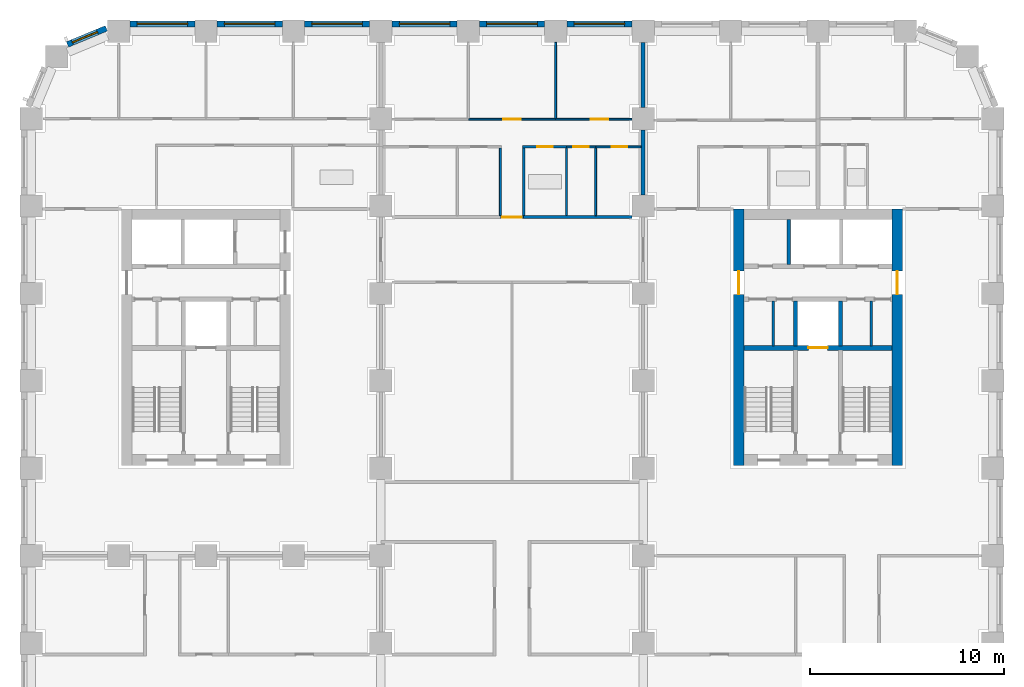
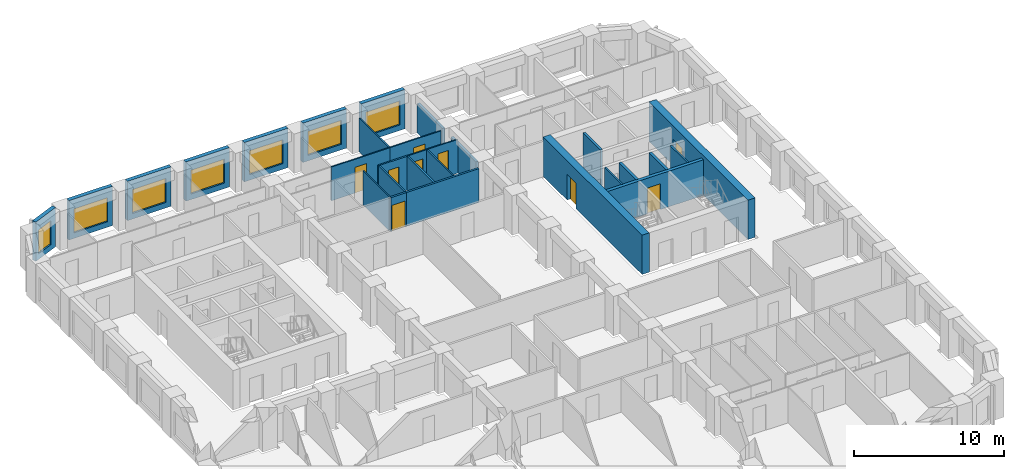
# One storey, part 8 of 13: 29 walls, 9 doors, 7 windows, 16 openings.
"""IFC4 building model written with IfcOpenShell, lengths in metres."""

from ifc_helpers import new_model, si_unit, direction, frame, frame_2d, origin, place, context, subcontext, project, spatial, rectangle, extrude, material, layer, layer_set, type_object, element, fill, save


model = new_model("IFC4")

# Units and contexts
model_context = context("Model", 3, precision=1e-05, world=origin(), true_north=direction((0.0, 1.0)))
body_context = subcontext(model_context, "Body", "Model", "MODEL_VIEW")
ifc_project = project(units=[si_unit("LENGTHUNIT", "METRE"), si_unit("AREAUNIT", "SQUARE_METRE"), si_unit("VOLUMEUNIT", "CUBIC_METRE"), si_unit("PLANEANGLEUNIT", "RADIAN"), si_unit("MASSUNIT", "GRAM", prefix="KILO")], contexts=[model_context])

# Site, building, storey
site_placement = place(None, origin())
site = spatial("IfcSite", under=ifc_project, at=site_placement, CompositionType="ELEMENT")
building_placement = place(site_placement, origin())
building = spatial("IfcBuilding", under=site, at=building_placement, Name="Girih Gate Residences", CompositionType="ELEMENT")
storey_placement = place(building_placement, frame((0.0, 0.0, 80.0)))
storey = spatial("IfcBuildingStorey", under=building, at=storey_placement, Name="L21", CompositionType="ELEMENT", Elevation=80.0)

# Wall
ifc_material_1 = material(Name="Gypsum board on steel studs", Category="steel")
ifc_layer_1 = layer(ifc_material_1, 0.14990234375)
ifc_layer_set_1 = layer_set([ifc_layer_1], Name="Compartment wall 150 mm")
wall_type_1 = type_object("IfcWallType", Name="Compartment wall 150 mm", PredefinedType="PARTITIONING", material=ifc_layer_set_1)
wall_1_placement = place(storey_placement, frame((25.35009765625, 39.925048828125, 0.0), z_axis=(0.0, 0.0, 1.0), x_axis=(1.0, 0.0, 0.0)))
element("IfcWall", 1, at=wall_1_placement, inside=storey, type_object=wall_type_1, Name="L21 partition", PredefinedType="PARTITIONING", context=body_context, shape_type="SweptSolid", body=[
    extrude(rectangle(XDim=5.574951171875, YDim=0.14990234375, at=frame_2d((2.78759765625, 0.0))), origin(), (0.0, 0.0, 1.0), 2.75),
])

# Wall, opening, door
wall_2_placement = place(storey_placement, frame((24.14990234375, 39.925048828125, 0.0), z_axis=(0.0, 0.0, 1.0), x_axis=(1.0, 0.0, 0.0)))
wall_2 = element("IfcWall", 2, at=wall_2_placement, inside=storey, type_object=wall_type_1, Name="L21 partition", PredefinedType="PARTITIONING", context=body_context, shape_type="SweptSolid", body=[
    extrude(rectangle(XDim=1.2001953125, YDim=0.14990234375, at=frame_2d((0.60009765625, 0.0))), origin(), (0.0, 0.0, 1.0), 2.75),
])
opening_1_placement = place(wall_2_placement, frame((0.10009765625, 0.0, 0.0)))
opening_1 = element("IfcOpeningElement", 3, at=opening_1_placement, cuts=wall_2, Name="Opening A21-048", PredefinedType="OPENING", context=body_context, shape_type="SweptSolid", body=[
    extrude(rectangle(XDim=1.0, YDim=2.10009765625, at=frame_2d((0.5, 1.050048828125))), frame((0.0, 0.0849609375, 0.0), z_axis=(0.0, -1.0, 0.0), x_axis=(1.0, 0.0, 0.0)), (0.0, 0.0, 1.0), 0.169921875),
])
ifc_material_2 = material(Name="Timber, fire-rated core", Category="wood")
door_type_1 = type_object("IfcDoorType", Name="Flat entrance door 1000x2100 FD30S", OperationType="NOTDEFINED", PredefinedType="DOOR", material=ifc_material_2)
door_1_placement = place(opening_1_placement, origin())
door_1 = element("IfcDoor", 4, at=door_1_placement, inside=storey, type_object=door_type_1, Name="Door A21-048", OperationType="SINGLE_SWING_RIGHT", OverallHeight=2.10009765625, OverallWidth=1.0, PredefinedType="DOOR", context=body_context, shape_type="SweptSolid", body=[
    extrude(rectangle(XDim=1.0, YDim=2.10009765625, at=frame_2d((0.5, 1.050048828125))), frame((0.0, 0.02490234375, 0.0), z_axis=(0.0, -1.0, 0.0), x_axis=(1.0, 0.0, 0.0)), (0.0, 0.0, 1.0), 0.050048828125),
])
fill(opening_1, door_1)

ifc_material_3 = material(Name="Concrete C60/75", Category="concrete")
ifc_layer_2 = layer(ifc_material_3, 0.550048828125)
ifc_layer_set_2 = layer_set([ifc_layer_2], Name="Core wall RC 550 Concrete C60/75")
wall_type_2 = type_object("IfcWallType", Name="Core wall RC 550 Concrete C60/75", PredefinedType="SOLIDWALL", material=ifc_layer_set_2)
wall_3_placement = place(storey_placement, frame((36.425048828125, 27.14990234375, 0.0), z_axis=(0.0, 0.0, 1.0), x_axis=(0.0, 1.0, 0.0)))
wall_3 = element("IfcWall", 5, at=wall_3_placement, inside=storey, type_object=wall_type_2, Name="Core wall E-W L21", PredefinedType="SOLIDWALL", context=body_context, shape_type="SweptSolid", body=[
    extrude(rectangle(XDim=13.2001953125, YDim=0.550048828125, at=frame_2d((6.60009765625, 0.0))), origin(), (0.0, 0.0, 1.0), 3.199951171875),
])
opening_2_placement = place(wall_3_placement, frame((8.800048828125, 0.0, 0.0)))
opening_2 = element("IfcOpeningElement", 6, at=opening_2_placement, cuts=wall_3, Name="Opening D-L21-E-014", PredefinedType="OPENING", context=body_context, shape_type="SweptSolid", body=[
    extrude(rectangle(XDim=1.199951171875, YDim=2.10009765625, at=frame_2d((0.60009765625, 1.050048828125))), frame((0.0, 0.284912109375, 0.0), z_axis=(0.0, -1.0, 0.0), x_axis=(1.0, 0.0, 0.0)), (0.0, 0.0, 1.0), 0.570068359375),
])
ifc_material_4 = material(Name="Painted steel, fire-resisting", Category="steel")
door_type_2 = type_object("IfcDoorType", Name="Fire door 1200x2100", OperationType="SINGLE_SWING_LEFT", PredefinedType="DOOR", material=ifc_material_4)
door_2_placement = place(opening_2_placement, origin())
door_2 = element("IfcDoor", 7, at=door_2_placement, inside=storey, type_object=door_type_2, Name="L21 E core door ll-w", OperationType="SINGLE_SWING_LEFT", OverallHeight=2.10009765625, OverallWidth=1.199951171875, PredefinedType="DOOR", context=body_context, shape_type="SweptSolid", body=[
    extrude(rectangle(XDim=1.199951171875, YDim=2.10009765625, at=frame_2d((0.60009765625, 1.050048828125))), frame((0.0, 0.02490234375, 0.0), z_axis=(0.0, -1.0, 0.0), x_axis=(1.0, 0.0, 0.0)), (0.0, 0.0, 1.0), 0.050048828125),
])
fill(opening_2, door_2)

wall_4_placement = place(storey_placement, frame((44.574951171875, 27.14990234375, 0.0), z_axis=(0.0, 0.0, 1.0), x_axis=(0.0, 1.0, 0.0)))
wall_4 = element("IfcWall", 8, at=wall_4_placement, inside=storey, type_object=wall_type_2, Name="Core wall E-E L21", PredefinedType="SOLIDWALL", context=body_context, shape_type="SweptSolid", body=[
    extrude(rectangle(XDim=13.2001953125, YDim=0.550048828125, at=frame_2d((6.60009765625, 0.0))), origin(), (0.0, 0.0, 1.0), 3.199951171875),
])
opening_3_placement = place(wall_4_placement, frame((8.800048828125, 0.0, 0.0)))
opening_3 = element("IfcOpeningElement", 9, at=opening_3_placement, cuts=wall_4, Name="Opening D-L21-E-015", PredefinedType="OPENING", context=body_context, shape_type="SweptSolid", body=[
    extrude(rectangle(XDim=1.199951171875, YDim=2.10009765625, at=frame_2d((0.60009765625, 1.050048828125))), frame((0.0, 0.284912109375, 0.0), z_axis=(0.0, -1.0, 0.0), x_axis=(1.0, 0.0, 0.0)), (0.0, 0.0, 1.0), 0.570068359375),
])
door_3_placement = place(opening_3_placement, origin())
door_3 = element("IfcDoor", 10, at=door_3_placement, inside=storey, type_object=door_type_2, Name="L21 E core door ll-e", OperationType="SINGLE_SWING_LEFT", OverallHeight=2.10009765625, OverallWidth=1.199951171875, PredefinedType="DOOR", context=body_context, shape_type="SweptSolid", body=[
    extrude(rectangle(XDim=1.199951171875, YDim=2.10009765625, at=frame_2d((0.60009765625, 1.050048828125))), frame((0.0, 0.02490234375, 0.0), z_axis=(0.0, -1.0, 0.0), x_axis=(1.0, 0.0, 0.0)), (0.0, 0.0, 1.0), 0.050048828125),
])
fill(opening_3, door_3)

ifc_material_5 = material(Name="Concrete C40/50", Category="concrete")
ifc_layer_3 = layer(ifc_material_5, 0.25)
ifc_layer_set_3 = layer_set([ifc_layer_3], Name="Lift shaft wall 250")
wall_type_3 = type_object("IfcWallType", Name="Lift shaft wall 250", PredefinedType="SOLIDWALL", material=ifc_layer_set_3)
wall_5_placement = place(storey_placement, frame((36.699951171875, 33.199951171875, 0.0), z_axis=(0.0, 0.0, 1.0), x_axis=(1.0, 0.0, 0.0)))
wall_5 = element("IfcWall", 11, at=wall_5_placement, inside=storey, type_object=wall_type_3, Name="L21 E core wall H1", PredefinedType="SOLIDWALL", context=body_context, shape_type="SweptSolid", body=[
    extrude(rectangle(XDim=7.60009765625, YDim=0.25, at=frame_2d((3.800048828125, 0.0))), origin(), (0.0, 0.0, 1.0), 2.89990234375),
])
opening_4_placement = place(wall_5_placement, frame((3.300048828125, 0.0, 0.0)))
opening_4 = element("IfcOpeningElement", 12, at=opening_4_placement, cuts=wall_5, Name="Opening D-L21-E-005", PredefinedType="OPENING", context=body_context, shape_type="SweptSolid", body=[
    extrude(rectangle(XDim=1.0, YDim=2.10009765625, at=frame_2d((0.5, 1.050048828125))), frame((0.0, 0.135009765625, 0.0), z_axis=(0.0, -1.0, 0.0), x_axis=(1.0, 0.0, 0.0)), (0.0, 0.0, 1.0), 0.27001953125),
])
ifc_material_6 = material(Name="Stainless steel, fire-resisting", Category="steel")
door_type_3 = type_object("IfcDoorType", Name="Firefighting lift landing door 1000x2100", OperationType="SLIDING_TO_LEFT", PredefinedType="DOOR", material=ifc_material_6)
door_4_placement = place(opening_4_placement, origin())
door_4 = element("IfcDoor", 13, at=door_4_placement, inside=storey, type_object=door_type_3, Name="L21 lift FF-E landing door", OperationType="SLIDING_TO_LEFT", OverallHeight=2.10009765625, OverallWidth=1.0, PredefinedType="DOOR", context=body_context, shape_type="SweptSolid", body=[
    extrude(rectangle(XDim=1.0, YDim=2.10009765625, at=frame_2d((0.5, 1.050048828125))), frame((0.0, 0.02490234375, 0.0), z_axis=(0.0, -1.0, 0.0), x_axis=(1.0, 0.0, 0.0)), (0.0, 0.0, 1.0), 0.050048828125),
])
fill(opening_4, door_4)

# Wall
ifc_layer_4 = layer(ifc_material_1, 0.10009765625)
ifc_layer_set_4 = layer_set([ifc_layer_4], Name="Partition 100 mm")
wall_type_4 = type_object("IfcWallType", Name="Partition 100 mm", PredefinedType="PARTITIONING", material=ifc_layer_set_4)
wall_6_placement = place(storey_placement, frame((27.0, 45.014892578125, 0.0), z_axis=(0.0, 0.0, 1.0), x_axis=(0.0, 1.0, 0.0)))
element("IfcWall", 14, at=wall_6_placement, inside=storey, type_object=wall_type_4, Name="L21 partition", PredefinedType="PARTITIONING", context=body_context, shape_type="SweptSolid", body=[
    extrude(rectangle(XDim=3.91015625, YDim=0.10009765625, at=frame_2d((1.955078125, 0.0))), origin(), (0.0, 0.0, 1.0), 2.75),
])

# Wall, opening, door
wall_7_placement = place(storey_placement, frame((22.5, 44.965087890625, 0.0), z_axis=(0.0, 0.0, 1.0), x_axis=(1.0, 0.0, 0.0)))
wall_7 = element("IfcWall", 15, at=wall_7_placement, inside=storey, type_object=wall_type_4, Name="L21 partition", PredefinedType="PARTITIONING", context=body_context, shape_type="SweptSolid", body=[
    extrude(rectangle(XDim=4.5, YDim=0.10009765625, at=frame_2d((2.25, 0.0))), origin(), (0.0, 0.0, 1.0), 2.75),
])
opening_5_placement = place(wall_7_placement, frame((1.800048828125, 0.0, 0.0)))
opening_5 = element("IfcOpeningElement", 16, at=opening_5_placement, cuts=wall_7, Name="Opening A21-041", PredefinedType="OPENING", context=body_context, shape_type="SweptSolid", body=[
    extrude(rectangle(XDim=0.89990234375, YDim=2.10009765625, at=frame_2d((0.449951171875, 1.050048828125))), frame((0.0, 0.06005859375, 0.0), z_axis=(0.0, -1.0, 0.0), x_axis=(1.0, 0.0, 0.0)), (0.0, 0.0, 1.0), 0.1201171875),
])
ifc_material_7 = material(Name="Timber", Category="wood")
door_type_4 = type_object("IfcDoorType", Name="Bedroom door 900x2100", OperationType="NOTDEFINED", PredefinedType="DOOR", material=ifc_material_7)
door_5_placement = place(opening_5_placement, origin())
door_5 = element("IfcDoor", 17, at=door_5_placement, inside=storey, type_object=door_type_4, Name="Door A21-041", OperationType="SINGLE_SWING_LEFT", OverallHeight=2.10009765625, OverallWidth=0.89990234375, PredefinedType="DOOR", context=body_context, shape_type="SweptSolid", body=[
    extrude(rectangle(XDim=0.89990234375, YDim=2.10009765625, at=frame_2d((0.449951171875, 1.050048828125))), frame((0.0, 0.02490234375, 0.0), z_axis=(0.0, -1.0, 0.0), x_axis=(1.0, 0.0, 0.0)), (0.0, 0.0, 1.0), 0.050048828125),
])
fill(opening_5, door_5)

wall_8_placement = place(storey_placement, frame((27.0, 44.965087890625, 0.0), z_axis=(0.0, 0.0, 1.0), x_axis=(1.0, 0.0, 0.0)))
wall_8 = element("IfcWall", 18, at=wall_8_placement, inside=storey, type_object=wall_type_4, Name="L21 partition", PredefinedType="PARTITIONING", context=body_context, shape_type="SweptSolid", body=[
    extrude(rectangle(XDim=3.925048828125, YDim=0.10009765625, at=frame_2d((1.96240234375, 0.0))), origin(), (0.0, 0.0, 1.0), 2.75),
])
opening_6_placement = place(wall_8_placement, frame((1.800048828125, 0.0, 0.0)))
opening_6 = element("IfcOpeningElement", 19, at=opening_6_placement, cuts=wall_8, Name="Opening A21-042", PredefinedType="OPENING", context=body_context, shape_type="SweptSolid", body=[
    extrude(rectangle(XDim=0.89990234375, YDim=2.10009765625, at=frame_2d((0.449951171875, 1.050048828125))), frame((0.0, 0.06005859375, 0.0), z_axis=(0.0, -1.0, 0.0), x_axis=(1.0, 0.0, 0.0)), (0.0, 0.0, 1.0), 0.1201171875),
])
door_6_placement = place(opening_6_placement, origin())
door_6 = element("IfcDoor", 20, at=door_6_placement, inside=storey, type_object=door_type_4, Name="Door A21-042", OperationType="SINGLE_SWING_RIGHT", OverallHeight=2.10009765625, OverallWidth=0.89990234375, PredefinedType="DOOR", context=body_context, shape_type="SweptSolid", body=[
    extrude(rectangle(XDim=0.89990234375, YDim=2.10009765625, at=frame_2d((0.449951171875, 1.050048828125))), frame((0.0, 0.02490234375, 0.0), z_axis=(0.0, -1.0, 0.0), x_axis=(1.0, 0.0, 0.0)), (0.0, 0.0, 1.0), 0.050048828125),
])
fill(opening_6, door_6)

wall_9_placement = place(storey_placement, frame((31.39990234375, 43.544921875, 0.0), z_axis=(0.0, 0.0, 1.0), x_axis=(-1.0, 0.0, 0.0)))
wall_9 = element("IfcWall", 21, at=wall_9_placement, inside=storey, type_object=wall_type_4, Name="L21 partition", PredefinedType="PARTITIONING", context=body_context, shape_type="SweptSolid", body=[
    extrude(rectangle(XDim=2.345458984375, YDim=0.10009765625, at=frame_2d((1.1728515625, 0.0))), origin(), (0.0, 0.0, 1.0), 2.75),
])
opening_7_placement = place(wall_9_placement, frame((0.722900390625, 0.0, 0.0)))
opening_7 = element("IfcOpeningElement", 22, at=opening_7_placement, cuts=wall_9, Name="Opening A21-043", PredefinedType="OPENING", context=body_context, shape_type="SweptSolid", body=[
    extrude(rectangle(XDim=0.800048828125, YDim=2.10009765625, at=frame_2d((0.39990234375, 1.050048828125))), frame((0.0, 0.06005859375, 0.0), z_axis=(0.0, -1.0, 0.0), x_axis=(1.0, 0.0, 0.0)), (0.0, 0.0, 1.0), 0.1201171875),
])
door_type_5 = type_object("IfcDoorType", Name="Store door 800x2100", OperationType="NOTDEFINED", PredefinedType="DOOR", material=ifc_material_7)
door_7_placement = place(opening_7_placement, origin())
door_7 = element("IfcDoor", 23, at=door_7_placement, inside=storey, type_object=door_type_5, Name="Door A21-043", OperationType="SINGLE_SWING_LEFT", OverallHeight=2.10009765625, OverallWidth=0.800048828125, PredefinedType="DOOR", context=body_context, shape_type="SweptSolid", body=[
    extrude(rectangle(XDim=0.800048828125, YDim=2.10009765625, at=frame_2d((0.39990234375, 1.050048828125))), frame((0.0, 0.02490234375, 0.0), z_axis=(0.0, -1.0, 0.0), x_axis=(1.0, 0.0, 0.0)), (0.0, 0.0, 1.0), 0.050048828125),
])
fill(opening_7, door_7)

# Wall
wall_10_placement = place(storey_placement, frame((29.053955078125, 40.0, 0.0), z_axis=(0.0, 0.0, 1.0), x_axis=(0.0, 1.0, 0.0)))
element("IfcWall", 24, at=wall_10_placement, inside=storey, type_object=wall_type_4, Name="L21 partition", PredefinedType="PARTITIONING", context=body_context, shape_type="SweptSolid", body=[
    extrude(rectangle(XDim=3.4951171875, YDim=0.10009765625, at=frame_2d((1.74755859375, 0.0))), origin(), (0.0, 0.0, 1.0), 2.75),
])

# Wall, opening, door
wall_11_placement = place(storey_placement, frame((29.054443359375, 43.544921875, 0.0), z_axis=(0.0, 0.0, 1.0), x_axis=(-1.0, 0.0, 0.0)))
wall_11 = element("IfcWall", 25, at=wall_11_placement, inside=storey, type_object=wall_type_4, Name="L21 partition", PredefinedType="PARTITIONING", context=body_context, shape_type="SweptSolid", body=[
    extrude(rectangle(XDim=1.4990234375, YDim=0.10009765625, at=frame_2d((0.74951171875, 0.0))), origin(), (0.0, 0.0, 1.0), 2.75),
])
opening_8_placement = place(wall_11_placement, frame((0.349609375, 0.0, 0.0)))
opening_8 = element("IfcOpeningElement", 26, at=opening_8_placement, cuts=wall_11, Name="Opening A21-046", PredefinedType="OPENING", context=body_context, shape_type="SweptSolid", body=[
    extrude(rectangle(XDim=0.800048828125, YDim=2.10009765625, at=frame_2d((0.39990234375, 1.050048828125))), frame((0.0, 0.06005859375, 0.0), z_axis=(0.0, -1.0, 0.0), x_axis=(1.0, 0.0, 0.0)), (0.0, 0.0, 1.0), 0.1201171875),
])
door_8_placement = place(opening_8_placement, origin())
door_8 = element("IfcDoor", 27, at=door_8_placement, inside=storey, type_object=door_type_5, Name="Door A21-046", OperationType="SINGLE_SWING_RIGHT", OverallHeight=2.10009765625, OverallWidth=0.800048828125, PredefinedType="DOOR", context=body_context, shape_type="SweptSolid", body=[
    extrude(rectangle(XDim=0.800048828125, YDim=2.10009765625, at=frame_2d((0.39990234375, 1.050048828125))), frame((0.0, 0.02490234375, 0.0), z_axis=(0.0, -1.0, 0.0), x_axis=(1.0, 0.0, 0.0)), (0.0, 0.0, 1.0), 0.050048828125),
])
fill(opening_8, door_8)

# Walls
wall_12_placement = place(storey_placement, frame((24.14990234375, 40.0, 0.0), z_axis=(0.0, 0.0, 1.0), x_axis=(0.0, 1.0, 0.0)))
element("IfcWall", 28, at=wall_12_placement, inside=storey, type_object=wall_type_4, Name="L21 partition", PredefinedType="PARTITIONING", context=body_context, shape_type="SweptSolid", body=[
    extrude(rectangle(XDim=3.4951171875, YDim=0.10009765625, at=frame_2d((1.74755859375, 0.0))), origin(), (0.0, 0.0, 1.0), 2.75),
])
ifc_layer_5 = layer(ifc_material_1, 0.199951171875)
ifc_layer_set_5 = layer_set([ifc_layer_5], Name="Party wall 200 mm")
wall_type_5 = type_object("IfcWallType", Name="Party wall 200 mm", PredefinedType="PARTITIONING", material=ifc_layer_set_5)
for number, where, z_axis, x_axis, name in (
    (29, (31.5, 41.074951171875, 0.0), (0.0, 0.0, 1.0), (0.0, 1.0, 0.0), "L21 partition"),
    (30, (31.5, 45.574951171875, 0.0), (0.0, 0.0, 1.0), (0.0, 1.0, 0.0), "L21 partition"),
):
    element("IfcWall", number, at=place(storey_placement, frame(where, z_axis=z_axis, x_axis=x_axis)), inside=storey, type_object=wall_type_5, Name=name, PredefinedType="PARTITIONING", context=body_context, shape_type="SweptSolid", body=[
        extrude(rectangle(XDim=3.35009765625, YDim=0.199951171875, at=frame_2d((1.675048828125, 0.0))), origin(), (0.0, 0.0, 1.0), 2.3798828125),
    ])

# Wall, opening, window
ifc_material_8 = material(Name="Precast concrete C50/60", Category="concrete")
ifc_layer_6 = layer(ifc_material_8, 0.080078125, Name="Outer leaf")
ifc_material_9 = material(Name="Rigid PIR insulation")
ifc_layer_7 = layer(ifc_material_9, 0.14990234375, Name="Insulation")
ifc_material_10 = material(Name="Precast concrete C40/50", Category="concrete")
ifc_layer_8 = layer(ifc_material_10, 0.070068359375, Name="Inner leaf")
ifc_layer_set_6 = layer_set([ifc_layer_6, ifc_layer_7, ifc_layer_8], Name="Precast concrete C50/60 external wall 300")
wall_type_6 = type_object("IfcWallType", Name="Precast concrete C50/60 external wall 300", PredefinedType="SOLIDWALL", material=ifc_layer_set_6)
wall_13_placement = place(storey_placement, frame((27.574951171875, 49.875, 0.0), z_axis=(0.0, 0.0, 1.0), x_axis=(1.0, 0.0, 0.0)))
wall_13 = element("IfcWall", 31, at=wall_13_placement, inside=storey, type_object=wall_type_6, Name="External wall N0450_0495.3", PredefinedType="SOLIDWALL", context=body_context, shape_type="SweptSolid", body=[
    extrude(rectangle(XDim=3.35009765625, YDim=0.300048828125, at=frame_2d((1.675048828125, 0.0))), origin(), (0.0, 0.0, 1.0), 3.199951171875),
])
opening_9_placement = place(wall_13_placement, frame((0.375, 0.0, 0.449951171875)))
opening_9 = element("IfcOpeningElement", 32, at=opening_9_placement, cuts=wall_13, Name="Opening W-1A", PredefinedType="OPENING", context=body_context, shape_type="SweptSolid", body=[
    extrude(rectangle(XDim=2.60009765625, YDim=1.949951171875, at=frame_2d((1.300048828125, 0.97509765625))), frame((0.0, 0.159912109375, 0.0), z_axis=(0.0, -1.0, 0.0), x_axis=(1.0, 0.0, 0.0)), (0.0, 0.0, 1.0), 0.320068359375),
])
ifc_material_11 = material(Name="Double glazing in aluminium frame", Category="aluminium")
window_type_1 = type_object("IfcWindowType", Name="Window W-1A 2600x1950", PartitioningType="SINGLE_PANEL", PredefinedType="WINDOW", material=ifc_material_11)
window_1_placement = place(opening_9_placement, origin())
window_1 = element("IfcWindow", 33, at=window_1_placement, inside=storey, type_object=window_type_1, Name="Window W-1A N0450_0495.3", OverallHeight=1.949951171875, OverallWidth=2.60009765625, PartitioningType="SINGLE_PANEL", PredefinedType="WINDOW", context=body_context, shape_type="SweptSolid", body=[
    extrude(rectangle(XDim=2.60009765625, YDim=1.949951171875, at=frame_2d((1.300048828125, 0.97509765625))), frame((0.0, 0.030029296875, 0.0), z_axis=(0.0, -1.0, 0.0), x_axis=(1.0, 0.0, 0.0)), (0.0, 0.0, 1.0), 0.06005859375),
])
fill(opening_9, window_1)

wall_14_placement = place(storey_placement, frame((23.074951171875, 49.875, 0.0), z_axis=(0.0, 0.0, 1.0), x_axis=(1.0, 0.0, 0.0)))
wall_14 = element("IfcWall", 34, at=wall_14_placement, inside=storey, type_object=wall_type_6, Name="External wall N0450_0495.4", PredefinedType="SOLIDWALL", context=body_context, shape_type="SweptSolid", body=[
    extrude(rectangle(XDim=3.35009765625, YDim=0.300048828125, at=frame_2d((1.675048828125, 0.0))), origin(), (0.0, 0.0, 1.0), 3.199951171875),
])
opening_10_placement = place(wall_14_placement, frame((0.375, 0.0, 0.449951171875)))
opening_10 = element("IfcOpeningElement", 35, at=opening_10_placement, cuts=wall_14, Name="Opening W-1A", PredefinedType="OPENING", context=body_context, shape_type="SweptSolid", body=[
    extrude(rectangle(XDim=2.60009765625, YDim=1.949951171875, at=frame_2d((1.300048828125, 0.97509765625))), frame((0.0, 0.159912109375, 0.0), z_axis=(0.0, -1.0, 0.0), x_axis=(1.0, 0.0, 0.0)), (0.0, 0.0, 1.0), 0.320068359375),
])
window_2_placement = place(opening_10_placement, origin())
window_2 = element("IfcWindow", 36, at=window_2_placement, inside=storey, type_object=window_type_1, Name="Window W-1A N0450_0495.4", OverallHeight=1.949951171875, OverallWidth=2.60009765625, PartitioningType="SINGLE_PANEL", PredefinedType="WINDOW", context=body_context, shape_type="SweptSolid", body=[
    extrude(rectangle(XDim=2.60009765625, YDim=1.949951171875, at=frame_2d((1.300048828125, 0.97509765625))), frame((0.0, 0.030029296875, 0.0), z_axis=(0.0, -1.0, 0.0), x_axis=(1.0, 0.0, 0.0)), (0.0, 0.0, 1.0), 0.06005859375),
])
fill(opening_10, window_2)

wall_15_placement = place(storey_placement, frame((18.574951171875, 49.875, 0.0), z_axis=(0.0, 0.0, 1.0), x_axis=(1.0, 0.0, 0.0)))
wall_15 = element("IfcWall", 37, at=wall_15_placement, inside=storey, type_object=wall_type_6, Name="External wall N0450_0495.5", PredefinedType="SOLIDWALL", context=body_context, shape_type="SweptSolid", body=[
    extrude(rectangle(XDim=3.35009765625, YDim=0.300048828125, at=frame_2d((1.675048828125, 0.0))), origin(), (0.0, 0.0, 1.0), 3.199951171875),
])
opening_11_placement = place(wall_15_placement, frame((0.375, 0.0, 0.449951171875)))
opening_11 = element("IfcOpeningElement", 38, at=opening_11_placement, cuts=wall_15, Name="Opening W-1A", PredefinedType="OPENING", context=body_context, shape_type="SweptSolid", body=[
    extrude(rectangle(XDim=2.60009765625, YDim=1.949951171875, at=frame_2d((1.300048828125, 0.97509765625))), frame((0.0, 0.159912109375, 0.0), z_axis=(0.0, -1.0, 0.0), x_axis=(1.0, 0.0, 0.0)), (0.0, 0.0, 1.0), 0.320068359375),
])
window_3_placement = place(opening_11_placement, origin())
window_3 = element("IfcWindow", 39, at=window_3_placement, inside=storey, type_object=window_type_1, Name="Window W-1A N0450_0495.5", OverallHeight=1.949951171875, OverallWidth=2.60009765625, PartitioningType="SINGLE_PANEL", PredefinedType="WINDOW", context=body_context, shape_type="SweptSolid", body=[
    extrude(rectangle(XDim=2.60009765625, YDim=1.949951171875, at=frame_2d((1.300048828125, 0.97509765625))), frame((0.0, 0.030029296875, 0.0), z_axis=(0.0, -1.0, 0.0), x_axis=(1.0, 0.0, 0.0)), (0.0, 0.0, 1.0), 0.06005859375),
])
fill(opening_11, window_3)

wall_16_placement = place(storey_placement, frame((14.074951171875, 49.875, 0.0), z_axis=(0.0, 0.0, 1.0), x_axis=(1.0, 0.0, 0.0)))
wall_16 = element("IfcWall", 40, at=wall_16_placement, inside=storey, type_object=wall_type_6, Name="External wall N0450_0495.6", PredefinedType="SOLIDWALL", context=body_context, shape_type="SweptSolid", body=[
    extrude(rectangle(XDim=3.35009765625, YDim=0.300048828125, at=frame_2d((1.675048828125, 0.0))), origin(), (0.0, 0.0, 1.0), 3.199951171875),
])
opening_12_placement = place(wall_16_placement, frame((0.375, 0.0, 0.449951171875)))
opening_12 = element("IfcOpeningElement", 41, at=opening_12_placement, cuts=wall_16, Name="Opening W-1A", PredefinedType="OPENING", context=body_context, shape_type="SweptSolid", body=[
    extrude(rectangle(XDim=2.60009765625, YDim=1.949951171875, at=frame_2d((1.300048828125, 0.97509765625))), frame((0.0, 0.159912109375, 0.0), z_axis=(0.0, -1.0, 0.0), x_axis=(1.0, 0.0, 0.0)), (0.0, 0.0, 1.0), 0.320068359375),
])
window_4_placement = place(opening_12_placement, origin())
window_4 = element("IfcWindow", 42, at=window_4_placement, inside=storey, type_object=window_type_1, Name="Window W-1A N0450_0495.6", OverallHeight=1.949951171875, OverallWidth=2.60009765625, PartitioningType="SINGLE_PANEL", PredefinedType="WINDOW", context=body_context, shape_type="SweptSolid", body=[
    extrude(rectangle(XDim=2.60009765625, YDim=1.949951171875, at=frame_2d((1.300048828125, 0.97509765625))), frame((0.0, 0.030029296875, 0.0), z_axis=(0.0, -1.0, 0.0), x_axis=(1.0, 0.0, 0.0)), (0.0, 0.0, 1.0), 0.06005859375),
])
fill(opening_12, window_4)

wall_17_placement = place(storey_placement, frame((9.574951171875, 49.875, 0.0), z_axis=(0.0, 0.0, 1.0), x_axis=(1.0, 0.0, 0.0)))
wall_17 = element("IfcWall", 43, at=wall_17_placement, inside=storey, type_object=wall_type_6, Name="External wall N0450_0495.7", PredefinedType="SOLIDWALL", context=body_context, shape_type="SweptSolid", body=[
    extrude(rectangle(XDim=3.35009765625, YDim=0.300048828125, at=frame_2d((1.675048828125, 0.0))), origin(), (0.0, 0.0, 1.0), 3.199951171875),
])
opening_13_placement = place(wall_17_placement, frame((0.375, 0.0, 0.449951171875)))
opening_13 = element("IfcOpeningElement", 44, at=opening_13_placement, cuts=wall_17, Name="Opening W-1A", PredefinedType="OPENING", context=body_context, shape_type="SweptSolid", body=[
    extrude(rectangle(XDim=2.60009765625, YDim=1.949951171875, at=frame_2d((1.300048828125, 0.97509765625))), frame((0.0, 0.159912109375, 0.0), z_axis=(0.0, -1.0, 0.0), x_axis=(1.0, 0.0, 0.0)), (0.0, 0.0, 1.0), 0.320068359375),
])
window_5_placement = place(opening_13_placement, origin())
window_5 = element("IfcWindow", 45, at=window_5_placement, inside=storey, type_object=window_type_1, Name="Window W-1A N0450_0495.7", OverallHeight=1.949951171875, OverallWidth=2.60009765625, PartitioningType="SINGLE_PANEL", PredefinedType="WINDOW", context=body_context, shape_type="SweptSolid", body=[
    extrude(rectangle(XDim=2.60009765625, YDim=1.949951171875, at=frame_2d((1.300048828125, 0.97509765625))), frame((0.0, 0.030029296875, 0.0), z_axis=(0.0, -1.0, 0.0), x_axis=(1.0, 0.0, 0.0)), (0.0, 0.0, 1.0), 0.06005859375),
])
fill(opening_13, window_5)

wall_18_placement = place(storey_placement, frame((5.074951171875, 49.875, 0.0), z_axis=(0.0, 0.0, 1.0), x_axis=(1.0, 0.0, 0.0)))
wall_18 = element("IfcWall", 46, at=wall_18_placement, inside=storey, type_object=wall_type_6, Name="External wall N0450_0495.8", PredefinedType="SOLIDWALL", context=body_context, shape_type="SweptSolid", body=[
    extrude(rectangle(XDim=3.35009765625, YDim=0.300048828125, at=frame_2d((1.675048828125, 0.0))), origin(), (0.0, 0.0, 1.0), 3.199951171875),
])
opening_14_placement = place(wall_18_placement, frame((0.375, 0.0, 0.449951171875)))
opening_14 = element("IfcOpeningElement", 47, at=opening_14_placement, cuts=wall_18, Name="Opening W-1A", PredefinedType="OPENING", context=body_context, shape_type="SweptSolid", body=[
    extrude(rectangle(XDim=2.60009765625, YDim=1.949951171875, at=frame_2d((1.300048828125, 0.97509765625))), frame((0.0, 0.159912109375, 0.0), z_axis=(0.0, -1.0, 0.0), x_axis=(1.0, 0.0, 0.0)), (0.0, 0.0, 1.0), 0.320068359375),
])
window_6_placement = place(opening_14_placement, origin())
window_6 = element("IfcWindow", 48, at=window_6_placement, inside=storey, type_object=window_type_1, Name="Window W-1A N0450_0495.8", OverallHeight=1.949951171875, OverallWidth=2.60009765625, PartitioningType="SINGLE_PANEL", PredefinedType="WINDOW", context=body_context, shape_type="SweptSolid", body=[
    extrude(rectangle(XDim=2.60009765625, YDim=1.949951171875, at=frame_2d((1.300048828125, 0.97509765625))), frame((0.0, 0.030029296875, 0.0), z_axis=(0.0, -1.0, 0.0), x_axis=(1.0, 0.0, 0.0)), (0.0, 0.0, 1.0), 0.06005859375),
])
fill(opening_14, window_6)

wall_19_placement = place(storey_placement, frame((1.86865234375, 48.81591796875, 0.0), z_axis=(0.0, 0.0, 1.0), x_axis=(0.923862802911, 0.382723818695, 0.0)))
wall_19 = element("IfcWall", 49, at=wall_19_placement, inside=storey, type_object=wall_type_6, Name="External wall NW0045_0495.0", PredefinedType="SOLIDWALL", context=body_context, shape_type="SweptSolid", body=[
    extrude(rectangle(XDim=2.163818359375, YDim=0.300048828125, at=frame_2d((1.08203125, 0.0))), origin(), (0.0, 0.0, 1.0), 3.199951171875),
])
opening_15_placement = place(wall_19_placement, frame((0.270751953125, 0.0, 0.449951171875)))
opening_15 = element("IfcOpeningElement", 50, at=opening_15_placement, cuts=wall_19, Name="Opening W-2D", PredefinedType="OPENING", context=body_context, shape_type="SweptSolid", body=[
    extrude(rectangle(XDim=1.39990234375, YDim=1.949951171875, at=frame_2d((0.699951171875, 0.97509765625))), frame((0.0, 0.159912109375, 0.0), z_axis=(0.0, -1.0, 0.0), x_axis=(1.0, 0.0, 0.0)), (0.0, 0.0, 1.0), 0.320068359375),
])
window_type_2 = type_object("IfcWindowType", Name="Window W-2D 1400x1950", PartitioningType="SINGLE_PANEL", PredefinedType="WINDOW", material=ifc_material_11)
window_7_placement = place(opening_15_placement, origin())
window_7 = element("IfcWindow", 51, at=window_7_placement, inside=storey, type_object=window_type_2, Name="Window W-2D NW0045_0495.0", OverallHeight=1.949951171875, OverallWidth=1.39990234375, PartitioningType="SINGLE_PANEL", PredefinedType="WINDOW", context=body_context, shape_type="SweptSolid", body=[
    extrude(rectangle(XDim=1.39990234375, YDim=1.949951171875, at=frame_2d((0.699951171875, 0.97509765625))), frame((0.0, 0.030029296875, 0.0), z_axis=(0.0, -1.0, 0.0), x_axis=(1.0, 0.0, 0.0)), (0.0, 0.0, 1.0), 0.06005859375),
])
fill(opening_15, window_7)

# Walls
ifc_layer_9 = layer(ifc_material_5, 0.175048828125)
ifc_layer_set_7 = layer_set([ifc_layer_9], Name="Riser shaft wall 175")
wall_type_7 = type_object("IfcWallType", Name="Riser shaft wall 175", PredefinedType="SOLIDWALL", material=ifc_layer_set_7)
wall_20_placement = place(storey_placement, frame((39.0, 37.5, 0.0), z_axis=(0.0, 0.0, 1.0), x_axis=(0.0, 1.0, 0.0)))
element("IfcWall", 52, at=wall_20_placement, inside=storey, type_object=wall_type_7, Name="L21 E core wall V2c", PredefinedType="SOLIDWALL", context=body_context, shape_type="SweptSolid", body=[
    extrude(rectangle(XDim=2.300048828125, YDim=0.175048828125, at=frame_2d((1.14990234375, 0.0))), origin(), (0.0, 0.0, 1.0), 2.89990234375),
])
ifc_layer_10 = layer(ifc_material_5, 0.199951171875)
ifc_layer_set_8 = layer_set([ifc_layer_10], Name="Shaft wall 200")
wall_type_8 = type_object("IfcWallType", Name="Shaft wall 200", PredefinedType="SOLIDWALL", material=ifc_layer_set_8)
for number, where, z_axis, x_axis, name in (
    (53, (41.64990234375, 33.300048828125, 0.0), (0.0, 0.0, 1.0), (0.0, 1.0, 0.0), "L21 E core wall V1b"),
    (54, (39.35009765625, 33.300048828125, 0.0), (0.0, 0.0, 1.0), (0.0, 1.0, 0.0), "L21 E core wall V2b"),
):
    element("IfcWall", number, at=place(storey_placement, frame(where, z_axis=z_axis, x_axis=x_axis)), inside=storey, type_object=wall_type_8, Name=name, PredefinedType="SOLIDWALL", context=body_context, shape_type="SweptSolid", body=[
        extrude(rectangle(XDim=2.300048828125, YDim=0.199951171875, at=frame_2d((1.14990234375, 0.0))), origin(), (0.0, 0.0, 1.0), 2.89990234375),
    ])
ifc_material_12 = material(Name="Calcium silicate blockwork", Category="masonry")
ifc_layer_11 = layer(ifc_material_12, 0.125)
ifc_layer_set_9 = layer_set([ifc_layer_11], Name="Store partition 125")
wall_type_9 = type_object("IfcWallType", Name="Store partition 125", PredefinedType="PARTITIONING", material=ifc_layer_set_9)
for number, where, z_axis, x_axis, name in (
    (55, (43.25, 33.300048828125, 0.0), (0.0, 0.0, 1.0), (0.0, 1.0, 0.0), "L21 E core wall SHR1"),
    (56, (38.199951171875, 33.300048828125, 0.0), (0.0, 0.0, 1.0), (0.0, 1.0, 0.0), "L21 E core wall SHR2"),
):
    element("IfcWall", number, at=place(storey_placement, frame(where, z_axis=z_axis, x_axis=x_axis)), inside=storey, type_object=wall_type_9, Name=name, PredefinedType="PARTITIONING", context=body_context, shape_type="SweptSolid", body=[
        extrude(rectangle(XDim=2.300048828125, YDim=0.125, at=frame_2d((1.14990234375, 0.0))), origin(), (0.0, 0.0, 1.0), 2.89990234375),
    ])
ifc_layer_12 = layer(ifc_material_1, 0.125)
ifc_layer_set_10 = layer_set([ifc_layer_12], Name="Wet room wall 125 mm")
wall_type_10 = type_object("IfcWallType", Name="Wet room wall 125 mm", PredefinedType="PARTITIONING", material=ifc_layer_set_10)
wall_21_placement = place(storey_placement, frame((25.35009765625, 40.0, 0.0), z_axis=(0.0, 0.0, 1.0), x_axis=(0.0, 1.0, 0.0)))
element("IfcWall", 57, at=wall_21_placement, inside=storey, type_object=wall_type_10, Name="L21 partition", PredefinedType="PARTITIONING", context=body_context, shape_type="SweptSolid", body=[
    extrude(rectangle(XDim=3.482421875, YDim=0.125, at=frame_2d((1.7412109375, 0.0))), origin(), (0.0, 0.0, 1.0), 2.75),
])

# Wall, opening, door
wall_22_placement = place(storey_placement, frame((27.555419921875, 43.544921875, 0.0), z_axis=(0.0, 0.0, 1.0), x_axis=(-1.0, 0.0, 0.0)))
wall_22 = element("IfcWall", 58, at=wall_22_placement, inside=storey, type_object=wall_type_10, Name="L21 partition", PredefinedType="PARTITIONING", context=body_context, shape_type="SweptSolid", body=[
    extrude(rectangle(XDim=2.267822265625, YDim=0.125, at=frame_2d((1.1337890625, 0.0))), origin(), (0.0, 0.0, 1.0), 2.75),
])
opening_16_placement = place(wall_22_placement, frame((0.70263671875, 0.0, 0.0)))
opening_16 = element("IfcOpeningElement", 59, at=opening_16_placement, cuts=wall_22, Name="Opening A21-040", PredefinedType="OPENING", context=body_context, shape_type="SweptSolid", body=[
    extrude(rectangle(XDim=0.800048828125, YDim=2.10009765625, at=frame_2d((0.39990234375, 1.050048828125))), frame((0.0, 0.072509765625, 0.0), z_axis=(0.0, -1.0, 0.0), x_axis=(1.0, 0.0, 0.0)), (0.0, 0.0, 1.0), 0.14501953125),
])
door_type_6 = type_object("IfcDoorType", Name="Bathroom door 800x2100", OperationType="NOTDEFINED", PredefinedType="DOOR", material=ifc_material_7)
door_9_placement = place(opening_16_placement, origin())
door_9 = element("IfcDoor", 60, at=door_9_placement, inside=storey, type_object=door_type_6, Name="Door A21-040", OperationType="SINGLE_SWING_LEFT", OverallHeight=2.10009765625, OverallWidth=0.800048828125, PredefinedType="DOOR", context=body_context, shape_type="SweptSolid", body=[
    extrude(rectangle(XDim=0.800048828125, YDim=2.10009765625, at=frame_2d((0.39990234375, 1.050048828125))), frame((0.0, 0.02490234375, 0.0), z_axis=(0.0, -1.0, 0.0), x_axis=(1.0, 0.0, 0.0)), (0.0, 0.0, 1.0), 0.050048828125),
])
fill(opening_16, door_9)

# Wall
wall_23_placement = place(storey_placement, frame((27.554931640625, 40.0, 0.0), z_axis=(0.0, 0.0, 1.0), x_axis=(0.0, 1.0, 0.0)))
element("IfcWall", 61, at=wall_23_placement, inside=storey, type_object=wall_type_10, Name="L21 partition", PredefinedType="PARTITIONING", context=body_context, shape_type="SweptSolid", body=[
    extrude(rectangle(XDim=3.482421875, YDim=0.125, at=frame_2d((1.7412109375, 0.0))), origin(), (0.0, 0.0, 1.0), 2.75),
])

save(model, "model.ifc")
